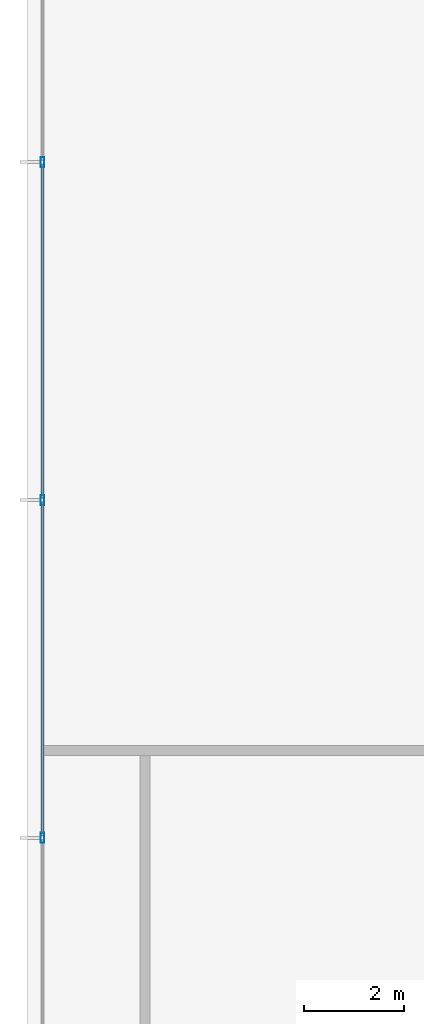
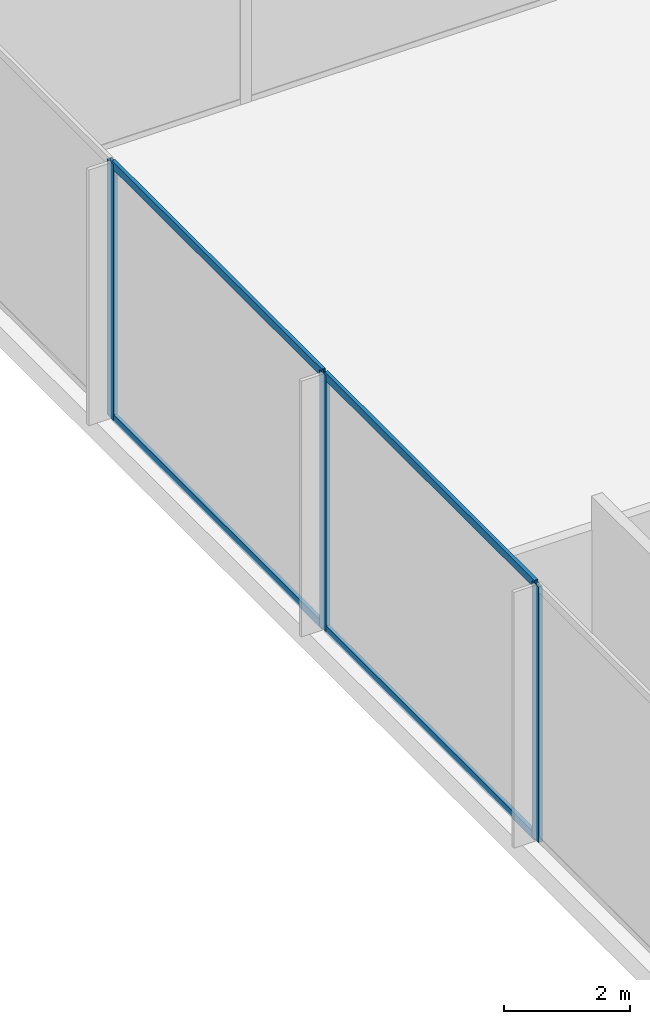
# One storey, part 22 of 43: 7 members, 1 element without a shape of its own.
"""IFC4 building model written with IfcOpenShell, lengths in metres."""

from ifc_helpers import new_model, si_unit, direction, frame, origin, origin_2d, place, context, subcontext, project, spatial, hollow_rectangle, extrude, material, layer, layer_set, material_profile, profile_set, type_object, element, aggregate, save


model = new_model("IFC4")

# Units and contexts
model_context = context("Model", 3, precision=1e-05, world=origin(), true_north=direction((0.0, 1.0)))
body_context = subcontext(model_context, "Body", "Model", "MODEL_VIEW")
ifc_project = project(units=[si_unit("LENGTHUNIT", "METRE"), si_unit("AREAUNIT", "SQUARE_METRE"), si_unit("VOLUMEUNIT", "CUBIC_METRE"), si_unit("PLANEANGLEUNIT", "RADIAN"), si_unit("MASSUNIT", "GRAM", prefix="KILO")], contexts=[model_context])

# Site, building, storey
site_placement = place(None, origin())
site = spatial("IfcSite", under=ifc_project, at=site_placement, CompositionType="ELEMENT")
building_placement = place(site_placement, origin())
building = spatial("IfcBuilding", under=site, at=building_placement, Name="Orvanel Arch Residences", CompositionType="ELEMENT")
storey_placement = place(building_placement, frame((0.0, 0.0, 18.39990234375)))
storey = spatial("IfcBuildingStorey", under=building, at=storey_placement, Name="L04", CompositionType="ELEMENT", Elevation=18.39990234375)

# Curtain wall, members
ifc_material = material(Name="Bronze-anodised aluminium AA6063-T6", Category="aluminium")
ifc_layer = layer(ifc_material, 0.199951171875)
ifc_layer_set = layer_set([ifc_layer], Name="Bronze-anodised aluminium AA6063-T6")
curtain_wall_type = type_object("IfcCurtainWallType", Name="CW1-POD-SYS", PredefinedType="NOTDEFINED", material=ifc_layer_set)
curtain_wall_placement = place(storey_placement, origin())
curtain_wall = element("IfcCurtainWall", 1, at=curtain_wall_placement, inside=storey, type_object=curtain_wall_type, Name="L04 CW1-POD-SYS Unitised Curtain Wall", PredefinedType="NOTDEFINED")
ifc_material_profile_1 = material_profile(ifc_material, hollow_rectangle(XDim=0.074951171875, YDim=0.199951171875, WallThickness=0.0048828125, at=origin_2d()), Name="ALU200x75x5")
ifc_profile_set_1 = profile_set([ifc_material_profile_1], Name="Bronze-anodised aluminium AA6063-T6")
member_type_1 = type_object("IfcMemberType", Name="MUL-200x75", PredefinedType="MULLION", material=ifc_profile_set_1)
member_1_placement = place(storey_placement, frame((1.550048828125, 47.757568359375, 0.0), z_axis=(0.0, 0.0, 1.0), x_axis=(1.0, 0.0, 0.0)))
member_1 = element("IfcMember", 2, at=member_1_placement, type_object=member_type_1, Name="CW-S1 mullion 2", PredefinedType="MULLION", context=body_context, shape_type="SweptSolid", body=[
    extrude(hollow_rectangle(XDim=0.074951171875, YDim=0.199951171875, WallThickness=0.0048828125, at=origin_2d()), origin(), (0.0, 0.0, 1.0), 4.960205078125),
])
member_2_placement = place(storey_placement, frame((1.550048828125, 41.0048828125, 0.0), z_axis=(0.0, 0.0, 1.0), x_axis=(1.0, 0.0, 0.0)))
member_2 = element("IfcMember", 3, at=member_2_placement, type_object=member_type_1, Name="CW-S1 mullion 3", PredefinedType="MULLION", context=body_context, shape_type="SweptSolid", body=[
    extrude(hollow_rectangle(XDim=0.074951171875, YDim=0.199951171875, WallThickness=0.0048828125, at=origin_2d()), origin(), (0.0, 0.0, 1.0), 4.960205078125),
])
member_3_placement = place(storey_placement, frame((1.550048828125, 34.25244140625, 0.0), z_axis=(0.0, 0.0, 1.0), x_axis=(1.0, 0.0, 0.0)))
member_3 = element("IfcMember", 4, at=member_3_placement, type_object=member_type_1, Name="CW-S1 mullion 4", PredefinedType="MULLION", context=body_context, shape_type="SweptSolid", body=[
    extrude(hollow_rectangle(XDim=0.074951171875, YDim=0.199951171875, WallThickness=0.0048828125, at=origin_2d()), origin(), (0.0, 0.0, 1.0), 4.960205078125),
])
ifc_material_profile_2 = material_profile(ifc_material, hollow_rectangle(XDim=0.06494140625, YDim=0.14990234375, WallThickness=0.00390625, at=origin_2d()), Name="ALU150x65x4")
ifc_profile_set_2 = profile_set([ifc_material_profile_2], Name="Bronze-anodised aluminium AA6063-T6")
member_type_2 = type_object("IfcMemberType", Name="TRN-150x65", PredefinedType="USERDEFINED", material=ifc_profile_set_2)
member_4_placement = place(storey_placement, frame((1.550048828125, 47.719970703125, 0.03271484375), z_axis=(0.0, -1.0, 0.0), x_axis=(1.0, 0.0, 0.0)))
member_4 = element("IfcMember", 5, at=member_4_placement, type_object=member_type_2, Name="CW-S1 transom 2.1", ObjectType="TRANSOM", PredefinedType="USERDEFINED", context=body_context, shape_type="SweptSolid", body=[
    extrude(hollow_rectangle(XDim=0.06494140625, YDim=0.14990234375, WallThickness=0.00390625, at=origin_2d()), origin(), (0.0, 0.0, 1.0), 6.677490234375),
])
member_5_placement = place(storey_placement, frame((1.550048828125, 47.719970703125, 4.927490234375), z_axis=(0.0, -1.0, 0.0), x_axis=(1.0, 0.0, 0.0)))
member_5 = element("IfcMember", 6, at=member_5_placement, type_object=member_type_2, Name="CW-S1 transom 2.2", ObjectType="TRANSOM", PredefinedType="USERDEFINED", context=body_context, shape_type="SweptSolid", body=[
    extrude(hollow_rectangle(XDim=0.06494140625, YDim=0.14990234375, WallThickness=0.00390625, at=origin_2d()), origin(), (0.0, 0.0, 1.0), 6.677490234375),
])
member_6_placement = place(storey_placement, frame((1.550048828125, 40.967529296875, 0.03271484375), z_axis=(0.0, -1.0, 0.0), x_axis=(1.0, 0.0, 0.0)))
member_6 = element("IfcMember", 7, at=member_6_placement, type_object=member_type_2, Name="CW-S1 transom 3.1", ObjectType="TRANSOM", PredefinedType="USERDEFINED", context=body_context, shape_type="SweptSolid", body=[
    extrude(hollow_rectangle(XDim=0.06494140625, YDim=0.14990234375, WallThickness=0.00390625, at=origin_2d()), origin(), (0.0, 0.0, 1.0), 6.677490234375),
])
member_7_placement = place(storey_placement, frame((1.550048828125, 40.967529296875, 4.927490234375), z_axis=(0.0, -1.0, 0.0), x_axis=(1.0, 0.0, 0.0)))
member_7 = element("IfcMember", 8, at=member_7_placement, type_object=member_type_2, Name="CW-S1 transom 3.2", ObjectType="TRANSOM", PredefinedType="USERDEFINED", context=body_context, shape_type="SweptSolid", body=[
    extrude(hollow_rectangle(XDim=0.06494140625, YDim=0.14990234375, WallThickness=0.00390625, at=origin_2d()), origin(), (0.0, 0.0, 1.0), 6.677490234375),
])
aggregate(curtain_wall, [member_1, member_2, member_3, member_4, member_5, member_6, member_7])

save(model, "model.ifc")
